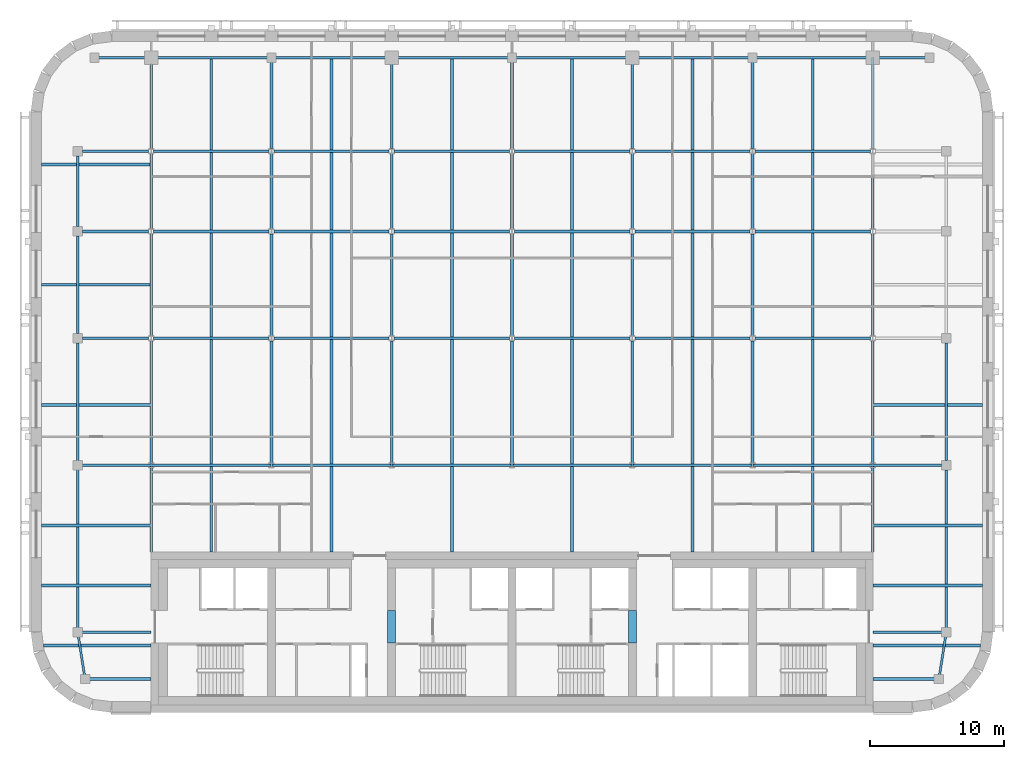
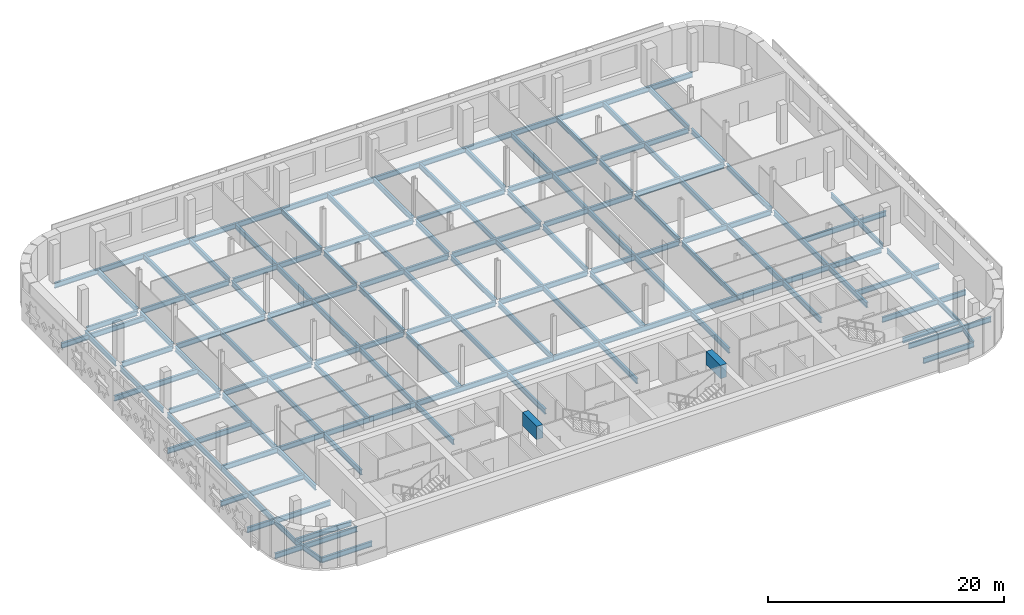
# One storey, part 5 of 16: 87 beams.
"""IFC4 building model written with IfcOpenShell, lengths in metres."""

from ifc_helpers import new_model, si_unit, direction, frame, origin, origin_2d, place, context, subcontext, project, spatial, rectangle, i_section, extrude, material, material_profile, profile_set, type_object, element, save


model = new_model("IFC4")

# Units and contexts
model_context = context("Model", 3, precision=1e-05, world=origin(), true_north=direction((0.0, 1.0)))
body_context = subcontext(model_context, "Body", "Model", "MODEL_VIEW")
ifc_project = project(units=[si_unit("LENGTHUNIT", "METRE"), si_unit("AREAUNIT", "SQUARE_METRE"), si_unit("VOLUMEUNIT", "CUBIC_METRE"), si_unit("PLANEANGLEUNIT", "RADIAN"), si_unit("MASSUNIT", "GRAM", prefix="KILO")], contexts=[model_context])

# Site, building, storey
site_placement = place(None, origin())
site = spatial("IfcSite", under=ifc_project, at=site_placement, CompositionType="ELEMENT")
building_placement = place(site_placement, origin())
building = spatial("IfcBuilding", under=site, at=building_placement, Name="Zellij Exchange Tower", CompositionType="ELEMENT")
storey_placement = place(building_placement, frame((0.0, 0.0, 280.5)))
storey = spatial("IfcBuildingStorey", under=building, at=storey_placement, Name="L66", CompositionType="ELEMENT", Elevation=280.5)

# Beams
ifc_material_1 = material(Name="Concrete C50/60", Category="concrete")
ifc_material_profile_1 = material_profile(ifc_material_1, rectangle(XDim=0.60009765625, YDim=1.3798828125, at=origin_2d()), Name="CORE-CB 600x1380 C50/60")
ifc_profile_set_1 = profile_set([ifc_material_profile_1], Name="Concrete C50/60")
beam_type_1 = type_object("IfcBeamType", Name="CORE-CB 600x1380 C50/60", PredefinedType="BEAM", material=ifc_profile_set_1)
for number, where, z_axis, x_axis, name in (
    (1, (-9.0, -8.800048828125, 3.090087890625), (0.0, 1.0, 0.0), (-1.0, 0.0, 0.0), "Core coupling beam x -9 L66"),
    (2, (9.0, -8.800048828125, 3.090087890625), (0.0, 1.0, 0.0), (-1.0, 0.0, 0.0), "Core coupling beam x 9 L66"),
):
    element("IfcBeam", number, at=place(storey_placement, frame(where, z_axis=z_axis, x_axis=x_axis)), inside=storey, type_object=beam_type_1, Name=name, PredefinedType="BEAM", context=body_context, shape_type="SweptSolid", body=[
        extrude(rectangle(XDim=0.60009765625, YDim=1.3798828125, at=origin_2d()), origin(), (0.0, 0.0, 1.0), 2.425048828125),
    ])
ifc_material_2 = material(Name="Structural steel ASTM A992 Gr 50", Category="steel")
ifc_material_profile_2 = material_profile(ifc_material_2, i_section(OverallWidth=0.209228515625, OverallDepth=0.533447265625, WebThickness=0.01025390625, FlangeThickness=0.015625, at=origin_2d()), Name="W21x62")
ifc_profile_set_2 = profile_set([ifc_material_profile_2], Name="Structural steel ASTM A992 Gr 50")
beam_type_2 = type_object("IfcBeamType", Name="STR-BEAM W21x62", PredefinedType="BEAM", material=ifc_profile_set_2)
for number, where, z_axis, x_axis, name in (
    (3, (-22.5, -2.0, -0.48681640625), (0.0, 1.0, 0.0), (-1.0, 0.0, 0.0), "B3"),
    (4, (-13.5, -2.0, -0.48681640625), (0.0, 1.0, 0.0), (-1.0, 0.0, 0.0), "B3"),
    (5, (-4.5, -2.0, -0.48681640625), (0.0, 1.0, 0.0), (-1.0, 0.0, 0.0), "B3"),
    (6, (4.5, -2.0, -0.48681640625), (0.0, 1.0, 0.0), (-1.0, 0.0, 0.0), "B3"),
    (7, (13.5, -2.0, -0.48681640625), (0.0, 1.0, 0.0), (-1.0, 0.0, 0.0), "B3"),
    (8, (22.5, -2.0, -0.48681640625), (0.0, 1.0, 0.0), (-1.0, 0.0, 0.0), "B3"),
):
    element("IfcBeam", number, at=place(storey_placement, frame(where, z_axis=z_axis, x_axis=x_axis)), inside=storey, type_object=beam_type_2, Name=name, PredefinedType="BEAM", context=body_context, shape_type="SweptSolid", body=[
        extrude(i_section(OverallWidth=0.209228515625, OverallDepth=0.533447265625, WebThickness=0.01025390625, FlangeThickness=0.015625, at=origin_2d()), origin(), (0.0, 0.0, 1.0), 37.1044921875),
    ])
beam_1_placement = place(storey_placement, frame((-35.06103515625, -9.0, -0.48681640625), z_axis=(1.0, 0.0, 0.0), x_axis=(0.0, 1.0, 0.0)))
element("IfcBeam", 9, at=beam_1_placement, inside=storey, type_object=beam_type_2, Name="B3", PredefinedType="BEAM", context=body_context, shape_type="SweptSolid", body=[
    extrude(i_section(OverallWidth=0.209228515625, OverallDepth=0.533447265625, WebThickness=0.01025390625, FlangeThickness=0.015625, at=origin_2d()), origin(), (0.0, 0.0, 1.0), 8.06103515625),
])
for number, where, z_axis, x_axis, name in (
    (10, (-35.199951171875, -4.5, -0.48681640625), (1.0, 0.0, 0.0), (0.0, 1.0, 0.0), "B3"),
    (11, (-35.199951171875, 0.0, -0.48681640625), (1.0, 0.0, 0.0), (0.0, 1.0, 0.0), "B3"),
    (12, (-35.199951171875, 9.0, -0.48681640625), (1.0, 0.0, 0.0), (0.0, 1.0, 0.0), "B3"),
    (13, (-35.199951171875, 18.0, -0.48681640625), (1.0, 0.0, 0.0), (0.0, 1.0, 0.0), "B3"),
    (14, (-35.199951171875, 27.0, -0.48681640625), (1.0, 0.0, 0.0), (0.0, 1.0, 0.0), "B3"),
):
    element("IfcBeam", number, at=place(storey_placement, frame(where, z_axis=z_axis, x_axis=x_axis)), inside=storey, type_object=beam_type_2, Name=name, PredefinedType="BEAM", context=body_context, shape_type="SweptSolid", body=[
        extrude(i_section(OverallWidth=0.209228515625, OverallDepth=0.533447265625, WebThickness=0.01025390625, FlangeThickness=0.015625, at=origin_2d()), origin(), (0.0, 0.0, 1.0), 8.199951171875),
    ])
beam_2_placement = place(storey_placement, frame((27.0, -9.0, -0.48681640625), z_axis=(1.0, 0.0, 0.0), x_axis=(0.0, 1.0, 0.0)))
element("IfcBeam", 15, at=beam_2_placement, inside=storey, type_object=beam_type_2, Name="B3", PredefinedType="BEAM", context=body_context, shape_type="SweptSolid", body=[
    extrude(i_section(OverallWidth=0.209228515625, OverallDepth=0.533447265625, WebThickness=0.01025390625, FlangeThickness=0.015625, at=origin_2d()), origin(), (0.0, 0.0, 1.0), 8.06103515625),
])
for number, where, z_axis, x_axis, name in (
    (16, (27.0, -4.5, -0.48681640625), (1.0, 0.0, 0.0), (0.0, 1.0, 0.0), "B3"),
    (17, (27.0, 0.0, -0.48681640625), (1.0, 0.0, 0.0), (0.0, 1.0, 0.0), "B3"),
    (18, (27.0, 9.0, -0.48681640625), (1.0, 0.0, 0.0), (0.0, 1.0, 0.0), "B3"),
):
    element("IfcBeam", number, at=place(storey_placement, frame(where, z_axis=z_axis, x_axis=x_axis)), inside=storey, type_object=beam_type_2, Name=name, PredefinedType="BEAM", context=body_context, shape_type="SweptSolid", body=[
        extrude(i_section(OverallWidth=0.209228515625, OverallDepth=0.533447265625, WebThickness=0.01025390625, FlangeThickness=0.015625, at=origin_2d()), origin(), (0.0, 0.0, 1.0), 8.199951171875),
    ])
ifc_material_profile_3 = material_profile(ifc_material_2, i_section(OverallWidth=0.1650390625, OverallDepth=0.52587890625, WebThickness=0.0087890625, FlangeThickness=0.011474609375, at=origin_2d()), Name="W21x44")
ifc_profile_set_3 = profile_set([ifc_material_profile_3], Name="Structural steel ASTM A992 Gr 50")
beam_type_3 = type_object("IfcBeamType", Name="STR-EDGE GIRDER W21x44", PredefinedType="BEAM", material=ifc_profile_set_3)
beam_3_placement = place(storey_placement, frame((-31.949951171875, -11.5, -0.48291015625), z_axis=(-0.155251283593, 0.987875011802, 0.0), x_axis=(-0.987875011802, -0.155251283593, 0.0)))
element("IfcBeam", 19, at=beam_3_placement, inside=storey, type_object=beam_type_3, Name="EB2", PredefinedType="BEAM", context=body_context, shape_type="SweptSolid", body=[
    extrude(i_section(OverallWidth=0.1650390625, OverallDepth=0.52587890625, WebThickness=0.0087890625, FlangeThickness=0.011474609375, at=origin_2d()), origin(), (0.0, 0.0, 1.0), 3.54296875),
])
beam_4_placement = place(storey_placement, frame((-32.5, -8.0, -0.48291015625), z_axis=(0.0, 1.0, 0.0), x_axis=(-1.0, 0.0, 0.0)))
element("IfcBeam", 20, at=beam_4_placement, inside=storey, type_object=beam_type_3, Name="EB2", PredefinedType="BEAM", context=body_context, shape_type="SweptSolid", body=[
    extrude(i_section(OverallWidth=0.1650390625, OverallDepth=0.52587890625, WebThickness=0.0087890625, FlangeThickness=0.011474609375, at=origin_2d()), origin(), (0.0, 0.0, 1.0), 12.5),
])
beam_5_placement = place(storey_placement, frame((-32.5, 4.5, -0.48291015625), z_axis=(0.0, 1.0, 0.0), x_axis=(-1.0, 0.0, 0.0)))
element("IfcBeam", 21, at=beam_5_placement, inside=storey, type_object=beam_type_3, Name="EB2", PredefinedType="BEAM", context=body_context, shape_type="SweptSolid", body=[
    extrude(i_section(OverallWidth=0.1650390625, OverallDepth=0.52587890625, WebThickness=0.0087890625, FlangeThickness=0.011474609375, at=origin_2d()), origin(), (0.0, 0.0, 1.0), 9.14990234375),
])
beam_6_placement = place(storey_placement, frame((-32.5, 14.35009765625, -0.48291015625), z_axis=(0.0, 1.0, 0.0), x_axis=(-1.0, 0.0, 0.0)))
element("IfcBeam", 22, at=beam_6_placement, inside=storey, type_object=beam_type_3, Name="EB2", PredefinedType="BEAM", context=body_context, shape_type="SweptSolid", body=[
    extrude(i_section(OverallWidth=0.1650390625, OverallDepth=0.52587890625, WebThickness=0.0087890625, FlangeThickness=0.011474609375, at=origin_2d()), origin(), (0.0, 0.0, 1.0), 7.2998046875),
])
beam_7_placement = place(storey_placement, frame((-32.5, 22.35009765625, -0.48291015625), z_axis=(0.0, 1.0, 0.0), x_axis=(-1.0, 0.0, 0.0)))
element("IfcBeam", 23, at=beam_7_placement, inside=storey, type_object=beam_type_3, Name="EB2", PredefinedType="BEAM", context=body_context, shape_type="SweptSolid", body=[
    extrude(i_section(OverallWidth=0.1650390625, OverallDepth=0.52587890625, WebThickness=0.0087890625, FlangeThickness=0.011474609375, at=origin_2d()), origin(), (0.0, 0.0, 1.0), 5.2998046875),
])
beam_8_placement = place(storey_placement, frame((31.949951171875, -11.5, -0.48291015625), z_axis=(0.155251283593, 0.987875011802, 0.0), x_axis=(-0.987875011802, 0.155251283593, 0.0)))
element("IfcBeam", 24, at=beam_8_placement, inside=storey, type_object=beam_type_3, Name="EB2", PredefinedType="BEAM", context=body_context, shape_type="SweptSolid", body=[
    extrude(i_section(OverallWidth=0.1650390625, OverallDepth=0.52587890625, WebThickness=0.0087890625, FlangeThickness=0.011474609375, at=origin_2d()), origin(), (0.0, 0.0, 1.0), 3.54296875),
])
beam_9_placement = place(storey_placement, frame((32.5, -8.0, -0.48291015625), z_axis=(0.0, 1.0, 0.0), x_axis=(-1.0, 0.0, 0.0)))
element("IfcBeam", 25, at=beam_9_placement, inside=storey, type_object=beam_type_3, Name="EB2", PredefinedType="BEAM", context=body_context, shape_type="SweptSolid", body=[
    extrude(i_section(OverallWidth=0.1650390625, OverallDepth=0.52587890625, WebThickness=0.0087890625, FlangeThickness=0.011474609375, at=origin_2d()), origin(), (0.0, 0.0, 1.0), 12.14990234375),
])
beam_10_placement = place(storey_placement, frame((32.5, 4.85009765625, -0.48291015625), z_axis=(0.0, 1.0, 0.0), x_axis=(-1.0, 0.0, 0.0)))
element("IfcBeam", 26, at=beam_10_placement, inside=storey, type_object=beam_type_3, Name="EB2", PredefinedType="BEAM", context=body_context, shape_type="SweptSolid", body=[
    extrude(i_section(OverallWidth=0.1650390625, OverallDepth=0.52587890625, WebThickness=0.0087890625, FlangeThickness=0.011474609375, at=origin_2d()), origin(), (0.0, 0.0, 1.0), 8.7998046875),
])
ifc_material_profile_4 = material_profile(ifc_material_2, i_section(OverallWidth=0.209228515625, OverallDepth=0.533447265625, WebThickness=0.01025390625, FlangeThickness=0.015625, at=origin_2d()), Name="W21x62")
ifc_profile_set_4 = profile_set([ifc_material_profile_4], Name="Structural steel ASTM A992 Gr 50")
beam_type_4 = type_object("IfcBeamType", Name="STR-GIRDER W21x62", PredefinedType="BEAM", material=ifc_profile_set_4)
for number, where, z_axis, x_axis, name in (
    (27, (-31.949951171875, -11.5, -0.48681640625), (1.0, 0.0, 0.0), (0.0, 1.0, 0.0), "G1"),
    (28, (27.0, -11.5, -0.48681640625), (1.0, 0.0, 0.0), (0.0, 1.0, 0.0), "G1"),
):
    element("IfcBeam", number, at=place(storey_placement, frame(where, z_axis=z_axis, x_axis=x_axis)), inside=storey, type_object=beam_type_4, Name=name, PredefinedType="BEAM", context=body_context, shape_type="SweptSolid", body=[
        extrude(i_section(OverallWidth=0.209228515625, OverallDepth=0.533447265625, WebThickness=0.01025390625, FlangeThickness=0.015625, at=origin_2d()), origin(), (0.0, 0.0, 1.0), 4.949951171875),
    ])
for number, where, z_axis, x_axis, name in (
    (29, (-32.5, -8.0, -0.48681640625), (1.0, 0.0, 0.0), (0.0, 1.0, 0.0), "G1"),
    (30, (27.0, -8.0, -0.48681640625), (1.0, 0.0, 0.0), (0.0, 1.0, 0.0), "G1"),
):
    element("IfcBeam", number, at=place(storey_placement, frame(where, z_axis=z_axis, x_axis=x_axis)), inside=storey, type_object=beam_type_4, Name=name, PredefinedType="BEAM", context=body_context, shape_type="SweptSolid", body=[
        extrude(i_section(OverallWidth=0.209228515625, OverallDepth=0.533447265625, WebThickness=0.01025390625, FlangeThickness=0.015625, at=origin_2d()), origin(), (0.0, 0.0, 1.0), 5.5),
    ])
beam_11_placement = place(storey_placement, frame((-32.5, 4.5, -0.48681640625), z_axis=(1.0, 0.0, 0.0), x_axis=(0.0, 1.0, 0.0)))
element("IfcBeam", 31, at=beam_11_placement, inside=storey, type_object=beam_type_4, Name="G1", PredefinedType="BEAM", context=body_context, shape_type="SweptSolid", body=[
    extrude(i_section(OverallWidth=0.209228515625, OverallDepth=0.533447265625, WebThickness=0.01025390625, FlangeThickness=0.015625, at=origin_2d()), origin(), (0.0, 0.0, 1.0), 14.5),
])
for number, where, z_axis, x_axis, name in (
    (32, (-18.0, 4.5, -0.48681640625), (1.0, 0.0, 0.0), (0.0, 1.0, 0.0), "G1"),
    (33, (0.0, 4.5, -0.48681640625), (1.0, 0.0, 0.0), (0.0, 1.0, 0.0), "G1"),
):
    element("IfcBeam", number, at=place(storey_placement, frame(where, z_axis=z_axis, x_axis=x_axis)), inside=storey, type_object=beam_type_4, Name=name, PredefinedType="BEAM", context=body_context, shape_type="SweptSolid", body=[
        extrude(i_section(OverallWidth=0.209228515625, OverallDepth=0.533447265625, WebThickness=0.01025390625, FlangeThickness=0.015625, at=origin_2d()), origin(), (0.0, 0.0, 1.0), 18.0),
    ])
beam_12_placement = place(storey_placement, frame((18.0, 4.5, -0.48681640625), z_axis=(1.0, 0.0, 0.0), x_axis=(0.0, 1.0, 0.0)))
element("IfcBeam", 34, at=beam_12_placement, inside=storey, type_object=beam_type_4, Name="G1", PredefinedType="BEAM", context=body_context, shape_type="SweptSolid", body=[
    extrude(i_section(OverallWidth=0.209228515625, OverallDepth=0.533447265625, WebThickness=0.01025390625, FlangeThickness=0.015625, at=origin_2d()), origin(), (0.0, 0.0, 1.0), 14.14990234375),
])
beam_13_placement = place(storey_placement, frame((-32.14990234375, 14.0, -0.48681640625), z_axis=(1.0, 0.0, 0.0), x_axis=(0.0, 1.0, 0.0)))
element("IfcBeam", 35, at=beam_13_placement, inside=storey, type_object=beam_type_4, Name="G1", PredefinedType="BEAM", context=body_context, shape_type="SweptSolid", body=[
    extrude(i_section(OverallWidth=0.209228515625, OverallDepth=0.533447265625, WebThickness=0.01025390625, FlangeThickness=0.015625, at=origin_2d()), origin(), (0.0, 0.0, 1.0), 4.963134765625),
])
for number, where, z_axis, x_axis, name in (
    (36, (-26.813232421875, 14.0, -0.48681640625), (1.0, 0.0, 0.0), (0.0, 1.0, 0.0), "G1"),
    (37, (-17.813232421875, 14.0, -0.48681640625), (1.0, 0.0, 0.0), (0.0, 1.0, 0.0), "G1"),
    (38, (-8.813232421875, 14.0, -0.48681640625), (1.0, 0.0, 0.0), (0.0, 1.0, 0.0), "G1"),
    (39, (0.186767578125, 14.0, -0.48681640625), (1.0, 0.0, 0.0), (0.0, 1.0, 0.0), "G1"),
    (40, (9.186767578125, 14.0, -0.48681640625), (1.0, 0.0, 0.0), (0.0, 1.0, 0.0), "G1"),
    (41, (18.186767578125, 14.0, -0.48681640625), (1.0, 0.0, 0.0), (0.0, 1.0, 0.0), "G1"),
):
    element("IfcBeam", number, at=place(storey_placement, frame(where, z_axis=z_axis, x_axis=x_axis)), inside=storey, type_object=beam_type_4, Name=name, PredefinedType="BEAM", context=body_context, shape_type="SweptSolid", body=[
        extrude(i_section(OverallWidth=0.209228515625, OverallDepth=0.533447265625, WebThickness=0.01025390625, FlangeThickness=0.015625, at=origin_2d()), origin(), (0.0, 0.0, 1.0), 8.62646484375),
    ])
beam_14_placement = place(storey_placement, frame((-32.14990234375, 22.0, -0.48681640625), z_axis=(1.0, 0.0, 0.0), x_axis=(0.0, 1.0, 0.0)))
element("IfcBeam", 42, at=beam_14_placement, inside=storey, type_object=beam_type_4, Name="G1", PredefinedType="BEAM", context=body_context, shape_type="SweptSolid", body=[
    extrude(i_section(OverallWidth=0.209228515625, OverallDepth=0.533447265625, WebThickness=0.01025390625, FlangeThickness=0.015625, at=origin_2d()), origin(), (0.0, 0.0, 1.0), 4.963134765625),
])
for number, where, z_axis, x_axis, name in (
    (43, (-26.813232421875, 22.0, -0.48681640625), (1.0, 0.0, 0.0), (0.0, 1.0, 0.0), "G1"),
    (44, (-17.813232421875, 22.0, -0.48681640625), (1.0, 0.0, 0.0), (0.0, 1.0, 0.0), "G1"),
    (45, (-8.813232421875, 22.0, -0.48681640625), (1.0, 0.0, 0.0), (0.0, 1.0, 0.0), "G1"),
    (46, (0.186767578125, 22.0, -0.48681640625), (1.0, 0.0, 0.0), (0.0, 1.0, 0.0), "G1"),
    (47, (9.186767578125, 22.0, -0.48681640625), (1.0, 0.0, 0.0), (0.0, 1.0, 0.0), "G1"),
    (48, (18.186767578125, 22.0, -0.48681640625), (1.0, 0.0, 0.0), (0.0, 1.0, 0.0), "G1"),
):
    element("IfcBeam", number, at=place(storey_placement, frame(where, z_axis=z_axis, x_axis=x_axis)), inside=storey, type_object=beam_type_4, Name=name, PredefinedType="BEAM", context=body_context, shape_type="SweptSolid", body=[
        extrude(i_section(OverallWidth=0.209228515625, OverallDepth=0.533447265625, WebThickness=0.01025390625, FlangeThickness=0.015625, at=origin_2d()), origin(), (0.0, 0.0, 1.0), 8.62646484375),
    ])
beam_15_placement = place(storey_placement, frame((-32.14990234375, 28.0, -0.48681640625), z_axis=(1.0, 0.0, 0.0), x_axis=(0.0, 1.0, 0.0)))
element("IfcBeam", 49, at=beam_15_placement, inside=storey, type_object=beam_type_4, Name="G1", PredefinedType="BEAM", context=body_context, shape_type="SweptSolid", body=[
    extrude(i_section(OverallWidth=0.209228515625, OverallDepth=0.533447265625, WebThickness=0.01025390625, FlangeThickness=0.015625, at=origin_2d()), origin(), (0.0, 0.0, 1.0), 4.963134765625),
])
for number, where, z_axis, x_axis, name in (
    (50, (-26.813232421875, 28.0, -0.48681640625), (1.0, 0.0, 0.0), (0.0, 1.0, 0.0), "G1"),
    (51, (-17.813232421875, 28.0, -0.48681640625), (1.0, 0.0, 0.0), (0.0, 1.0, 0.0), "G1"),
    (52, (-8.813232421875, 28.0, -0.48681640625), (1.0, 0.0, 0.0), (0.0, 1.0, 0.0), "G1"),
    (53, (0.186767578125, 28.0, -0.48681640625), (1.0, 0.0, 0.0), (0.0, 1.0, 0.0), "G1"),
    (54, (9.186767578125, 28.0, -0.48681640625), (1.0, 0.0, 0.0), (0.0, 1.0, 0.0), "G1"),
    (55, (18.186767578125, 28.0, -0.48681640625), (1.0, 0.0, 0.0), (0.0, 1.0, 0.0), "G1"),
):
    element("IfcBeam", number, at=place(storey_placement, frame(where, z_axis=z_axis, x_axis=x_axis)), inside=storey, type_object=beam_type_4, Name=name, PredefinedType="BEAM", context=body_context, shape_type="SweptSolid", body=[
        extrude(i_section(OverallWidth=0.209228515625, OverallDepth=0.533447265625, WebThickness=0.01025390625, FlangeThickness=0.015625, at=origin_2d()), origin(), (0.0, 0.0, 1.0), 8.62646484375),
    ])
beam_16_placement = place(storey_placement, frame((-31.25, 35.0, -0.48681640625), z_axis=(1.0, 0.0, 0.0), x_axis=(0.0, 1.0, 0.0)))
element("IfcBeam", 56, at=beam_16_placement, inside=storey, type_object=beam_type_4, Name="G1", PredefinedType="BEAM", context=body_context, shape_type="SweptSolid", body=[
    extrude(i_section(OverallWidth=0.209228515625, OverallDepth=0.533447265625, WebThickness=0.01025390625, FlangeThickness=0.015625, at=origin_2d()), origin(), (0.0, 0.0, 1.0), 13.25),
])
for number, where, z_axis, x_axis, name in (
    (57, (-18.0, 35.0, -0.48681640625), (1.0, 0.0, 0.0), (0.0, 1.0, 0.0), "G1"),
    (58, (0.0, 35.0, -0.48681640625), (1.0, 0.0, 0.0), (0.0, 1.0, 0.0), "G1"),
):
    element("IfcBeam", number, at=place(storey_placement, frame(where, z_axis=z_axis, x_axis=x_axis)), inside=storey, type_object=beam_type_4, Name=name, PredefinedType="BEAM", context=body_context, shape_type="SweptSolid", body=[
        extrude(i_section(OverallWidth=0.209228515625, OverallDepth=0.533447265625, WebThickness=0.01025390625, FlangeThickness=0.015625, at=origin_2d()), origin(), (0.0, 0.0, 1.0), 18.0),
    ])
beam_17_placement = place(storey_placement, frame((18.0, 35.0, -0.48681640625), z_axis=(1.0, 0.0, 0.0), x_axis=(0.0, 1.0, 0.0)))
element("IfcBeam", 59, at=beam_17_placement, inside=storey, type_object=beam_type_4, Name="G1", PredefinedType="BEAM", context=body_context, shape_type="SweptSolid", body=[
    extrude(i_section(OverallWidth=0.209228515625, OverallDepth=0.533447265625, WebThickness=0.01025390625, FlangeThickness=0.015625, at=origin_2d()), origin(), (0.0, 0.0, 1.0), 13.25),
])
beam_18_placement = place(storey_placement, frame((-27.0, -2.0, -0.48681640625), z_axis=(0.0, 1.0, 0.0), x_axis=(-1.0, 0.0, 0.0)))
element("IfcBeam", 60, at=beam_18_placement, inside=storey, type_object=beam_type_4, Name="G1", PredefinedType="BEAM", context=body_context, shape_type="SweptSolid", body=[
    extrude(i_section(OverallWidth=0.209228515625, OverallDepth=0.533447265625, WebThickness=0.01025390625, FlangeThickness=0.015625, at=origin_2d()), origin(), (0.0, 0.0, 1.0), 15.813232421875),
])
beam_19_placement = place(storey_placement, frame((-27.0, 14.186767578125, -0.48681640625), z_axis=(0.0, 1.0, 0.0), x_axis=(-1.0, 0.0, 0.0)))
element("IfcBeam", 61, at=beam_19_placement, inside=storey, type_object=beam_type_4, Name="G1", PredefinedType="BEAM", context=body_context, shape_type="SweptSolid", body=[
    extrude(i_section(OverallWidth=0.209228515625, OverallDepth=0.533447265625, WebThickness=0.01025390625, FlangeThickness=0.015625, at=origin_2d()), origin(), (0.0, 0.0, 1.0), 7.62646484375),
])
beam_20_placement = place(storey_placement, frame((-27.0, 22.186767578125, -0.48681640625), z_axis=(0.0, 1.0, 0.0), x_axis=(-1.0, 0.0, 0.0)))
element("IfcBeam", 62, at=beam_20_placement, inside=storey, type_object=beam_type_4, Name="G1", PredefinedType="BEAM", context=body_context, shape_type="SweptSolid", body=[
    extrude(i_section(OverallWidth=0.209228515625, OverallDepth=0.533447265625, WebThickness=0.01025390625, FlangeThickness=0.015625, at=origin_2d()), origin(), (0.0, 0.0, 1.0), 5.62646484375),
])
beam_21_placement = place(storey_placement, frame((-27.0, 28.186767578125, -0.48681640625), z_axis=(0.0, 1.0, 0.0), x_axis=(-1.0, 0.0, 0.0)))
element("IfcBeam", 63, at=beam_21_placement, inside=storey, type_object=beam_type_4, Name="G1", PredefinedType="BEAM", context=body_context, shape_type="SweptSolid", body=[
    extrude(i_section(OverallWidth=0.209228515625, OverallDepth=0.533447265625, WebThickness=0.01025390625, FlangeThickness=0.015625, at=origin_2d()), origin(), (0.0, 0.0, 1.0), 6.813232421875),
])
beam_22_placement = place(storey_placement, frame((-18.0, 4.5, -0.48681640625), z_axis=(0.0, 1.0, 0.0), x_axis=(-1.0, 0.0, 0.0)))
element("IfcBeam", 64, at=beam_22_placement, inside=storey, type_object=beam_type_4, Name="G1", PredefinedType="BEAM", context=body_context, shape_type="SweptSolid", body=[
    extrude(i_section(OverallWidth=0.209228515625, OverallDepth=0.533447265625, WebThickness=0.01025390625, FlangeThickness=0.015625, at=origin_2d()), origin(), (0.0, 0.0, 1.0), 9.313232421875),
])
beam_23_placement = place(storey_placement, frame((-18.0, 14.186767578125, -0.48681640625), z_axis=(0.0, 1.0, 0.0), x_axis=(-1.0, 0.0, 0.0)))
element("IfcBeam", 65, at=beam_23_placement, inside=storey, type_object=beam_type_4, Name="G1", PredefinedType="BEAM", context=body_context, shape_type="SweptSolid", body=[
    extrude(i_section(OverallWidth=0.209228515625, OverallDepth=0.533447265625, WebThickness=0.01025390625, FlangeThickness=0.015625, at=origin_2d()), origin(), (0.0, 0.0, 1.0), 7.62646484375),
])
beam_24_placement = place(storey_placement, frame((-18.0, 22.186767578125, -0.48681640625), z_axis=(0.0, 1.0, 0.0), x_axis=(-1.0, 0.0, 0.0)))
element("IfcBeam", 66, at=beam_24_placement, inside=storey, type_object=beam_type_4, Name="G1", PredefinedType="BEAM", context=body_context, shape_type="SweptSolid", body=[
    extrude(i_section(OverallWidth=0.209228515625, OverallDepth=0.533447265625, WebThickness=0.01025390625, FlangeThickness=0.015625, at=origin_2d()), origin(), (0.0, 0.0, 1.0), 5.62646484375),
])
beam_25_placement = place(storey_placement, frame((-18.0, 28.186767578125, -0.48681640625), z_axis=(0.0, 1.0, 0.0), x_axis=(-1.0, 0.0, 0.0)))
element("IfcBeam", 67, at=beam_25_placement, inside=storey, type_object=beam_type_4, Name="G1", PredefinedType="BEAM", context=body_context, shape_type="SweptSolid", body=[
    extrude(i_section(OverallWidth=0.209228515625, OverallDepth=0.533447265625, WebThickness=0.01025390625, FlangeThickness=0.015625, at=origin_2d()), origin(), (0.0, 0.0, 1.0), 6.813232421875),
])
beam_26_placement = place(storey_placement, frame((-9.0, 4.5, -0.48681640625), z_axis=(0.0, 1.0, 0.0), x_axis=(-1.0, 0.0, 0.0)))
element("IfcBeam", 68, at=beam_26_placement, inside=storey, type_object=beam_type_4, Name="G1", PredefinedType="BEAM", context=body_context, shape_type="SweptSolid", body=[
    extrude(i_section(OverallWidth=0.209228515625, OverallDepth=0.533447265625, WebThickness=0.01025390625, FlangeThickness=0.015625, at=origin_2d()), origin(), (0.0, 0.0, 1.0), 9.313232421875),
])
beam_27_placement = place(storey_placement, frame((-9.0, 14.186767578125, -0.48681640625), z_axis=(0.0, 1.0, 0.0), x_axis=(-1.0, 0.0, 0.0)))
element("IfcBeam", 69, at=beam_27_placement, inside=storey, type_object=beam_type_4, Name="G1", PredefinedType="BEAM", context=body_context, shape_type="SweptSolid", body=[
    extrude(i_section(OverallWidth=0.209228515625, OverallDepth=0.533447265625, WebThickness=0.01025390625, FlangeThickness=0.015625, at=origin_2d()), origin(), (0.0, 0.0, 1.0), 7.62646484375),
])
beam_28_placement = place(storey_placement, frame((-9.0, 22.186767578125, -0.48681640625), z_axis=(0.0, 1.0, 0.0), x_axis=(-1.0, 0.0, 0.0)))
element("IfcBeam", 70, at=beam_28_placement, inside=storey, type_object=beam_type_4, Name="G1", PredefinedType="BEAM", context=body_context, shape_type="SweptSolid", body=[
    extrude(i_section(OverallWidth=0.209228515625, OverallDepth=0.533447265625, WebThickness=0.01025390625, FlangeThickness=0.015625, at=origin_2d()), origin(), (0.0, 0.0, 1.0), 5.62646484375),
])
beam_29_placement = place(storey_placement, frame((-9.0, 28.186767578125, -0.48681640625), z_axis=(0.0, 1.0, 0.0), x_axis=(-1.0, 0.0, 0.0)))
element("IfcBeam", 71, at=beam_29_placement, inside=storey, type_object=beam_type_4, Name="G1", PredefinedType="BEAM", context=body_context, shape_type="SweptSolid", body=[
    extrude(i_section(OverallWidth=0.209228515625, OverallDepth=0.533447265625, WebThickness=0.01025390625, FlangeThickness=0.015625, at=origin_2d()), origin(), (0.0, 0.0, 1.0), 6.813232421875),
])
beam_30_placement = place(storey_placement, frame((0.0, 4.5, -0.48681640625), z_axis=(0.0, 1.0, 0.0), x_axis=(-1.0, 0.0, 0.0)))
element("IfcBeam", 72, at=beam_30_placement, inside=storey, type_object=beam_type_4, Name="G1", PredefinedType="BEAM", context=body_context, shape_type="SweptSolid", body=[
    extrude(i_section(OverallWidth=0.209228515625, OverallDepth=0.533447265625, WebThickness=0.01025390625, FlangeThickness=0.015625, at=origin_2d()), origin(), (0.0, 0.0, 1.0), 9.313232421875),
])
beam_31_placement = place(storey_placement, frame((0.0, 14.186767578125, -0.48681640625), z_axis=(0.0, 1.0, 0.0), x_axis=(-1.0, 0.0, 0.0)))
element("IfcBeam", 73, at=beam_31_placement, inside=storey, type_object=beam_type_4, Name="G1", PredefinedType="BEAM", context=body_context, shape_type="SweptSolid", body=[
    extrude(i_section(OverallWidth=0.209228515625, OverallDepth=0.533447265625, WebThickness=0.01025390625, FlangeThickness=0.015625, at=origin_2d()), origin(), (0.0, 0.0, 1.0), 7.62646484375),
])
beam_32_placement = place(storey_placement, frame((0.0, 22.186767578125, -0.48681640625), z_axis=(0.0, 1.0, 0.0), x_axis=(-1.0, 0.0, 0.0)))
element("IfcBeam", 74, at=beam_32_placement, inside=storey, type_object=beam_type_4, Name="G1", PredefinedType="BEAM", context=body_context, shape_type="SweptSolid", body=[
    extrude(i_section(OverallWidth=0.209228515625, OverallDepth=0.533447265625, WebThickness=0.01025390625, FlangeThickness=0.015625, at=origin_2d()), origin(), (0.0, 0.0, 1.0), 5.62646484375),
])
beam_33_placement = place(storey_placement, frame((0.0, 28.186767578125, -0.48681640625), z_axis=(0.0, 1.0, 0.0), x_axis=(-1.0, 0.0, 0.0)))
element("IfcBeam", 75, at=beam_33_placement, inside=storey, type_object=beam_type_4, Name="G1", PredefinedType="BEAM", context=body_context, shape_type="SweptSolid", body=[
    extrude(i_section(OverallWidth=0.209228515625, OverallDepth=0.533447265625, WebThickness=0.01025390625, FlangeThickness=0.015625, at=origin_2d()), origin(), (0.0, 0.0, 1.0), 6.813232421875),
])
beam_34_placement = place(storey_placement, frame((9.0, 4.5, -0.48681640625), z_axis=(0.0, 1.0, 0.0), x_axis=(-1.0, 0.0, 0.0)))
element("IfcBeam", 76, at=beam_34_placement, inside=storey, type_object=beam_type_4, Name="G1", PredefinedType="BEAM", context=body_context, shape_type="SweptSolid", body=[
    extrude(i_section(OverallWidth=0.209228515625, OverallDepth=0.533447265625, WebThickness=0.01025390625, FlangeThickness=0.015625, at=origin_2d()), origin(), (0.0, 0.0, 1.0), 9.313232421875),
])
beam_35_placement = place(storey_placement, frame((9.0, 14.186767578125, -0.48681640625), z_axis=(0.0, 1.0, 0.0), x_axis=(-1.0, 0.0, 0.0)))
element("IfcBeam", 77, at=beam_35_placement, inside=storey, type_object=beam_type_4, Name="G1", PredefinedType="BEAM", context=body_context, shape_type="SweptSolid", body=[
    extrude(i_section(OverallWidth=0.209228515625, OverallDepth=0.533447265625, WebThickness=0.01025390625, FlangeThickness=0.015625, at=origin_2d()), origin(), (0.0, 0.0, 1.0), 7.62646484375),
])
beam_36_placement = place(storey_placement, frame((9.0, 22.186767578125, -0.48681640625), z_axis=(0.0, 1.0, 0.0), x_axis=(-1.0, 0.0, 0.0)))
element("IfcBeam", 78, at=beam_36_placement, inside=storey, type_object=beam_type_4, Name="G1", PredefinedType="BEAM", context=body_context, shape_type="SweptSolid", body=[
    extrude(i_section(OverallWidth=0.209228515625, OverallDepth=0.533447265625, WebThickness=0.01025390625, FlangeThickness=0.015625, at=origin_2d()), origin(), (0.0, 0.0, 1.0), 5.62646484375),
])
beam_37_placement = place(storey_placement, frame((9.0, 28.186767578125, -0.48681640625), z_axis=(0.0, 1.0, 0.0), x_axis=(-1.0, 0.0, 0.0)))
element("IfcBeam", 79, at=beam_37_placement, inside=storey, type_object=beam_type_4, Name="G1", PredefinedType="BEAM", context=body_context, shape_type="SweptSolid", body=[
    extrude(i_section(OverallWidth=0.209228515625, OverallDepth=0.533447265625, WebThickness=0.01025390625, FlangeThickness=0.015625, at=origin_2d()), origin(), (0.0, 0.0, 1.0), 6.813232421875),
])
beam_38_placement = place(storey_placement, frame((18.0, 4.5, -0.48681640625), z_axis=(0.0, 1.0, 0.0), x_axis=(-1.0, 0.0, 0.0)))
element("IfcBeam", 80, at=beam_38_placement, inside=storey, type_object=beam_type_4, Name="G1", PredefinedType="BEAM", context=body_context, shape_type="SweptSolid", body=[
    extrude(i_section(OverallWidth=0.209228515625, OverallDepth=0.533447265625, WebThickness=0.01025390625, FlangeThickness=0.015625, at=origin_2d()), origin(), (0.0, 0.0, 1.0), 9.313232421875),
])
beam_39_placement = place(storey_placement, frame((18.0, 14.186767578125, -0.48681640625), z_axis=(0.0, 1.0, 0.0), x_axis=(-1.0, 0.0, 0.0)))
element("IfcBeam", 81, at=beam_39_placement, inside=storey, type_object=beam_type_4, Name="G1", PredefinedType="BEAM", context=body_context, shape_type="SweptSolid", body=[
    extrude(i_section(OverallWidth=0.209228515625, OverallDepth=0.533447265625, WebThickness=0.01025390625, FlangeThickness=0.015625, at=origin_2d()), origin(), (0.0, 0.0, 1.0), 7.62646484375),
])
beam_40_placement = place(storey_placement, frame((18.0, 22.186767578125, -0.48681640625), z_axis=(0.0, 1.0, 0.0), x_axis=(-1.0, 0.0, 0.0)))
element("IfcBeam", 82, at=beam_40_placement, inside=storey, type_object=beam_type_4, Name="G1", PredefinedType="BEAM", context=body_context, shape_type="SweptSolid", body=[
    extrude(i_section(OverallWidth=0.209228515625, OverallDepth=0.533447265625, WebThickness=0.01025390625, FlangeThickness=0.015625, at=origin_2d()), origin(), (0.0, 0.0, 1.0), 5.62646484375),
])
beam_41_placement = place(storey_placement, frame((18.0, 28.186767578125, -0.48681640625), z_axis=(0.0, 1.0, 0.0), x_axis=(-1.0, 0.0, 0.0)))
element("IfcBeam", 83, at=beam_41_placement, inside=storey, type_object=beam_type_4, Name="G1", PredefinedType="BEAM", context=body_context, shape_type="SweptSolid", body=[
    extrude(i_section(OverallWidth=0.209228515625, OverallDepth=0.533447265625, WebThickness=0.01025390625, FlangeThickness=0.015625, at=origin_2d()), origin(), (0.0, 0.0, 1.0), 6.813232421875),
])
beam_42_placement = place(storey_placement, frame((27.0, -2.0, -0.48681640625), z_axis=(0.0, 1.0, 0.0), x_axis=(-1.0, 0.0, 0.0)))
element("IfcBeam", 84, at=beam_42_placement, inside=storey, type_object=beam_type_4, Name="G1", PredefinedType="BEAM", context=body_context, shape_type="SweptSolid", body=[
    extrude(i_section(OverallWidth=0.209228515625, OverallDepth=0.533447265625, WebThickness=0.01025390625, FlangeThickness=0.015625, at=origin_2d()), origin(), (0.0, 0.0, 1.0), 15.813232421875),
])
beam_43_placement = place(storey_placement, frame((27.0, 14.186767578125, -0.48681640625), z_axis=(0.0, 1.0, 0.0), x_axis=(-1.0, 0.0, 0.0)))
element("IfcBeam", 85, at=beam_43_placement, inside=storey, type_object=beam_type_4, Name="G1", PredefinedType="BEAM", context=body_context, shape_type="SweptSolid", body=[
    extrude(i_section(OverallWidth=0.209228515625, OverallDepth=0.533447265625, WebThickness=0.01025390625, FlangeThickness=0.015625, at=origin_2d()), origin(), (0.0, 0.0, 1.0), 7.62646484375),
])
beam_44_placement = place(storey_placement, frame((27.0, 22.186767578125, -0.48681640625), z_axis=(0.0, 1.0, 0.0), x_axis=(-1.0, 0.0, 0.0)))
element("IfcBeam", 86, at=beam_44_placement, inside=storey, type_object=beam_type_4, Name="G1", PredefinedType="BEAM", context=body_context, shape_type="SweptSolid", body=[
    extrude(i_section(OverallWidth=0.209228515625, OverallDepth=0.533447265625, WebThickness=0.01025390625, FlangeThickness=0.015625, at=origin_2d()), origin(), (0.0, 0.0, 1.0), 5.62646484375),
])
beam_45_placement = place(storey_placement, frame((27.0, 28.186767578125, -0.48681640625), z_axis=(0.0, 1.0, 0.0), x_axis=(-1.0, 0.0, 0.0)))
element("IfcBeam", 87, at=beam_45_placement, inside=storey, type_object=beam_type_4, Name="G1", PredefinedType="BEAM", context=body_context, shape_type="SweptSolid", body=[
    extrude(i_section(OverallWidth=0.209228515625, OverallDepth=0.533447265625, WebThickness=0.01025390625, FlangeThickness=0.015625, at=origin_2d()), origin(), (0.0, 0.0, 1.0), 6.813232421875),
])

save(model, "model.ifc")
